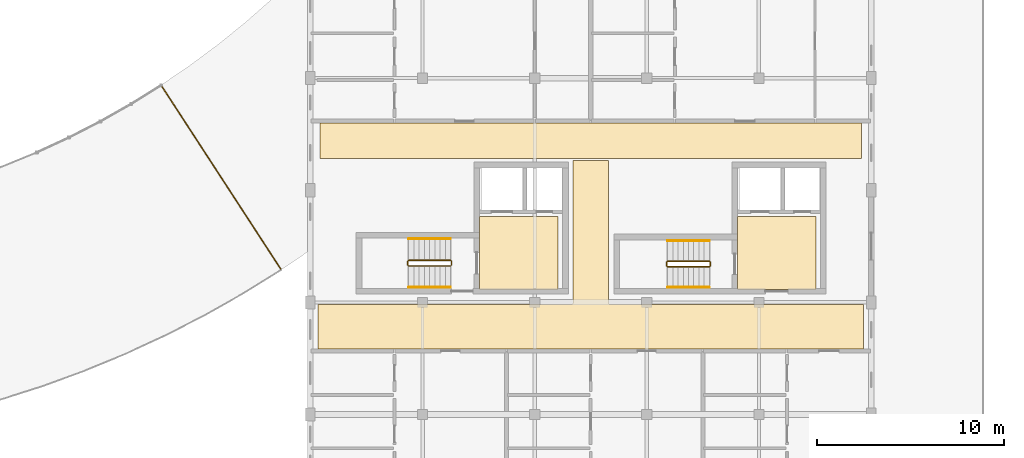
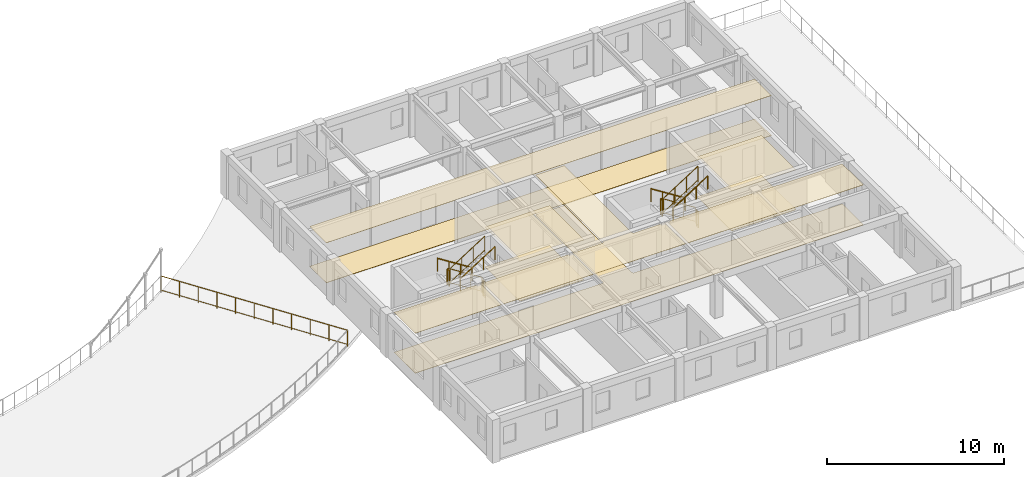
# One storey, part 53 of 58: 13 railings, 8 coverings.
"""IFC4 building model written with IfcOpenShell, lengths in metres."""

import ifcopenshell
import ifcopenshell.guid

model = None  # the IFC model being written
_history = None  # IfcOwnerHistory: only IFC2X3 demands one
_inside = {}  # id of a spatial element -> (the spatial element, [elements in it])
_under = {}  # id of a project, library or spatial element -> (it, [spatial elements below it])
_declared = {}  # id of a project -> (the project, [libraries it declares])
_typed = {}  # id of a type object -> (the type object, [elements of that type])
_made_of = {}  # id of a material, layer set ... -> (it, [elements and type objects made of it])


def new_model(schema):
    """Start an empty IFC model of exactly this schema.

    Asked for "IFC4X3", IfcOpenShell would pick the latest addendum, in which some entities
    have other attributes; the version numbers below select the first issue.
    IFC2X3 requires an IfcOwnerHistory on every rooted entity: one is made here for all.
    """
    global model, _history
    if schema == "IFC4X3":
        model = ifcopenshell.file(schema_version=(4, 3, 0, 0))
    else:
        model = ifcopenshell.file(schema=schema)
    _inside.clear()
    _under.clear()
    _declared.clear()
    _typed.clear()
    _made_of.clear()
    _history = None
    if model.schema == "IFC2X3":
        org = make("IfcOrganization", Name="unknown")
        user = make(
            "IfcPersonAndOrganization",
            ThePerson=make("IfcPerson", FamilyName="unknown"),
            TheOrganization=org,
        )
        app = make(
            "IfcApplication",
            ApplicationDeveloper=org,
            Version="unknown",
            ApplicationFullName="unknown",
            ApplicationIdentifier="unknown",
        )
        _history = make(
            "IfcOwnerHistory",
            OwningUser=user,
            OwningApplication=app,
            ChangeAction="ADDED",
            CreationDate=0,
        )
    return model


def make(cls, **values):
    """One entity of the class cls with the attributes given. An attribute that is None is left unset."""
    return model.create_entity(
        cls, **{name: value for name, value in values.items() if value is not None}
    )


def rooted(cls, **values):
    """An entity with a GlobalId (a new one), such as an element, a storey or a relation."""
    return make(cls, GlobalId=ifcopenshell.guid.new(), OwnerHistory=_history, **values)


def si_unit(unit_type, name, prefix=None):
    """IfcSIUnit, for example si_unit("LENGTHUNIT", "METRE", prefix="MILLI")."""
    return make("IfcSIUnit", UnitType=unit_type, Prefix=prefix, Name=name)


def assignment(units):
    """IfcUnitAssignment: the units of a project."""
    return None if units is None else make("IfcUnitAssignment", Units=units)


def point(xyz):
    """IfcCartesianPoint."""
    return None if xyz is None else make("IfcCartesianPoint", Coordinates=xyz)


def direction(xyz):
    """IfcDirection."""
    return None if xyz is None else make("IfcDirection", DirectionRatios=xyz)


def frame(location, z_axis=None, x_axis=None):
    """IfcAxis2Placement3D, a coordinate frame: its origin and axes. An axis left out is left unset."""
    return make(
        "IfcAxis2Placement3D",
        Location=point(location),
        Axis=direction(z_axis),
        RefDirection=direction(x_axis),
    )


def frame_2d(location, x_axis=None):
    """IfcAxis2Placement2D, a coordinate frame in the plane: its origin and x axis."""
    return make(
        "IfcAxis2Placement2D", Location=point(location), RefDirection=direction(x_axis)
    )


def origin():
    """The frame at (0, 0, 0) with its axes left unset."""
    return frame((0.0, 0.0, 0.0))


def origin_2d():
    """The frame at (0, 0) in the plane with its x axis left unset."""
    return frame_2d((0.0, 0.0))


def place(relative_to, where):
    """IfcLocalPlacement: puts the frame where relative to a parent placement (None: the world)."""
    return make(
        "IfcLocalPlacement", PlacementRelTo=relative_to, RelativePlacement=where
    )


def context(
    kind, dimensions, precision=None, world=None, true_north=None, identifier=None
):
    """IfcGeometricRepresentationContext, for example the 3D "Model" context."""
    return make(
        "IfcGeometricRepresentationContext",
        ContextIdentifier=identifier,
        ContextType=kind,
        CoordinateSpaceDimension=dimensions,
        Precision=precision,
        WorldCoordinateSystem=world,
        TrueNorth=true_north,
    )


def subcontext(parent, identifier, kind, view, scale=None):
    """IfcGeometricRepresentationSubContext, for example "Body" below "Model"."""
    return make(
        "IfcGeometricRepresentationSubContext",
        ContextIdentifier=identifier,
        ContextType=kind,
        ParentContext=parent,
        TargetScale=scale,
        TargetView=view,
    )


def project(units=None, contexts=None):
    """IfcProject with its units and contexts."""
    return rooted(
        "IfcProject",
        Name="project",
        RepresentationContexts=contexts,
        UnitsInContext=assignment(units),
    )


def spatial(cls, under=None, at=None, **own):
    """A site, building, storey or space (cls), placed at a placement, below another one or the project."""
    s = rooted(cls, ObjectPlacement=at, **own)
    if under is not None:
        _under.setdefault(under.id(), (under, []))[1].append(s)
    return s


def polyline(points):
    """IfcPolyline through the points."""
    return make("IfcPolyline", Points=[point(p) for p in points])


def profile(cls, at=None, kind="AREA", **sizes):
    """A parametric profile (cls). Its sizes go by their IFC names, for example OverallWidth=200.0."""
    return make(cls, ProfileType=kind, Position=at, **sizes)


def circle(**sizes):
    """IfcCircleProfileDef."""
    return profile("IfcCircleProfileDef", **sizes)


def outline(outer, holes=None, kind="AREA"):
    """IfcArbitraryClosedProfileDef: a profile drawn as a closed curve; with holes, ...WithVoids."""
    if holes is None:
        return make("IfcArbitraryClosedProfileDef", ProfileType=kind, OuterCurve=outer)
    return make(
        "IfcArbitraryProfileDefWithVoids",
        ProfileType=kind,
        OuterCurve=outer,
        InnerCurves=holes,
    )


def extrude(swept, where, along, depth):
    """IfcExtrudedAreaSolid: the profile swept, set in the frame where, extruded along a direction by depth."""
    return make(
        "IfcExtrudedAreaSolid",
        SweptArea=swept,
        Position=where,
        ExtrudedDirection=direction(along),
        Depth=depth,
    )


def shape(context_of_items, identifier, shape_type, items):
    """IfcShapeRepresentation: the items that make up one representation, for example the "Body"."""
    return make(
        "IfcShapeRepresentation",
        ContextOfItems=context_of_items,
        RepresentationIdentifier=identifier,
        RepresentationType=shape_type,
        Items=items,
    )


def material(Name=None, Category=None):
    """IfcMaterial."""
    return make("IfcMaterial", Name=Name, Category=Category)


def layer(
    of_material, thickness, ventilated=None, Name=None, Category=None, Priority=None
):
    """IfcMaterialLayer: one layer of a wall or slab, of a material (None: an air gap)."""
    return make(
        "IfcMaterialLayer",
        Material=of_material,
        LayerThickness=thickness,
        IsVentilated=ventilated,
        Name=Name,
        Category=Category,
        Priority=Priority,
    )


def layer_set(layers, Name=None):
    """IfcMaterialLayerSet."""
    return make("IfcMaterialLayerSet", MaterialLayers=layers, LayerSetName=Name)


def made_of(thing, what):
    """Note that an element or type object is made of a material, layer set ...; save() writes the relation."""
    if what is not None:
        _made_of.setdefault(what.id(), (what, []))[1].append(thing)
    return thing


def type_object(cls, material=None, **own):
    """A type object (cls), such as IfcWallType, which elements share."""
    return made_of(rooted(cls, **own), material)


def element(
    cls,
    number,
    at=None,
    inside=None,
    cuts=None,
    type_object=None,
    material=None,
    context=None,
    identifier="Body",
    shape_type=None,
    held_by="IfcProductDefinitionShape",
    body=None,
    shapes=None,
    **own,
):
    """One element of the class cls, such as IfcWall. Its Tag is "e" and its number.

    at: its placement. inside: the storey or other place that contains it. cuts: it is an
    opening in that element (IfcRelVoidsElement). A single representation is given by context,
    identifier, shape_type and body (its items); several are given by shapes. held_by: the class
    of the entity that holds the representations. save() writes the other relations.
    """
    e = rooted(cls, Tag="e%d" % number, ObjectPlacement=at, **own)
    if body is not None:
        shapes = [shape(context, identifier, shape_type, body)]
    if shapes is not None:
        e.Representation = make(held_by, Representations=shapes)
    if inside is not None:
        _inside.setdefault(inside.id(), (inside, []))[1].append(e)
    if cuts is not None:
        rooted(
            "IfcRelVoidsElement", RelatingBuildingElement=cuts, RelatedOpeningElement=e
        )
    if type_object is not None:
        _typed.setdefault(type_object.id(), (type_object, []))[1].append(e)
    return made_of(e, material)


def aggregate(whole, parts):
    """IfcRelAggregates: a whole, such as a stair, and the parts it consists of."""
    return rooted("IfcRelAggregates", RelatingObject=whole, RelatedObjects=parts)


def save(model, path):
    """Write the relations noted so far, then the file.

    IfcRelAggregates (storeys below a building ...), IfcRelContainedInSpatialStructure (elements
    in a storey), IfcRelDefinesByType, IfcRelAssociatesMaterial and IfcRelDeclares: one each for
    every whole, place, type object, material and project.
    """
    for whole, parts in _under.values():
        aggregate(whole, parts)
    for where, things in _inside.values():
        rooted(
            "IfcRelContainedInSpatialStructure",
            RelatedElements=things,
            RelatingStructure=where,
        )
    for kind, things in _typed.values():
        rooted("IfcRelDefinesByType", RelatedObjects=things, RelatingType=kind)
    for what, things in _made_of.values():
        rooted("IfcRelAssociatesMaterial", RelatedObjects=things, RelatingMaterial=what)
    for by, libraries in _declared.values():
        rooted("IfcRelDeclares", RelatingContext=by, RelatedDefinitions=libraries)
    model.write(path)


model = new_model("IFC4")

# Units and contexts
model_context = context("Model", 3, precision=1e-05, world=origin(), true_north=direction((0.0, 1.0)))
body_context = subcontext(model_context, "Body", "Model", "MODEL_VIEW")
ifc_project = project(units=[si_unit("LENGTHUNIT", "METRE"), si_unit("AREAUNIT", "SQUARE_METRE"), si_unit("VOLUMEUNIT", "CUBIC_METRE"), si_unit("PLANEANGLEUNIT", "RADIAN"), si_unit("MASSUNIT", "GRAM", prefix="KILO"), si_unit("POWERUNIT", "WATT"), si_unit("THERMODYNAMICTEMPERATUREUNIT", "KELVIN")], contexts=[model_context])

# Site, building, storey
site_placement = place(None, origin())
site = spatial("IfcSite", under=ifc_project, at=site_placement, CompositionType="ELEMENT")
building_placement = place(site_placement, origin())
building = spatial("IfcBuilding", under=site, at=building_placement, Name="Ruvembo Vaulted Housing Court", CompositionType="ELEMENT")
storey_placement = place(building_placement, frame((0.0, 0.0, 20.5)))
storey = spatial("IfcBuildingStorey", under=building, at=storey_placement, Name="L06", CompositionType="ELEMENT", Elevation=20.5)

# Coverings
ifc_material_1 = material(Name="Perforated Mineral-Fibre Acoustic Tile", Category="gypsum")
ifc_layer_1 = layer(ifc_material_1, 0.02001953125, Name="Perforated Mineral-Fibre Acoustic Tile")
ifc_layer_set_1 = layer_set([ifc_layer_1], Name="Perforated Mineral-Fibre Acoustic Tile")
covering_type_1 = type_object("IfcCoveringType", Name="COV-CEIL-ACOUST", PredefinedType="CEILING", material=ifc_layer_set_1)
covering_1_placement = place(storey_placement, frame((0.0, 0.0, 2.75)))
element("IfcCovering", 1, at=covering_1_placement, inside=storey, type_object=covering_type_1, Name="Protected Core Lobby C1 Ceiling", PredefinedType="CEILING", context=body_context, shape_type="SweptSolid", body=[
    extrude(outline(polyline([(115.25, 16.60009765625), (111.050048828125, 16.60009765625), (111.050048828125, 12.699951171875), (115.25, 12.699951171875), (115.25, 16.60009765625)])), origin(), (0.0, 0.0, 1.0), 0.02001953125),
])
covering_2_placement = place(storey_placement, frame((0.0, 0.0, 2.75)))
element("IfcCovering", 2, at=covering_2_placement, inside=storey, type_object=covering_type_1, Name="Protected Core Lobby C2 Ceiling", PredefinedType="CEILING", context=body_context, shape_type="SweptSolid", body=[
    extrude(outline(polyline([(129.050048828125, 16.60009765625), (124.85009765625, 16.60009765625), (124.85009765625, 12.699951171875), (129.050048828125, 12.699951171875), (129.050048828125, 16.60009765625)])), origin(), (0.0, 0.0, 1.0), 0.02001953125),
])
covering_3_placement = place(storey_placement, frame((0.0, 0.0, 2.75)))
element("IfcCovering", 3, at=covering_3_placement, inside=storey, type_object=covering_type_1, Name="Block C L06 Corridor Ceiling", PredefinedType="CEILING", context=body_context, shape_type="SweptSolid", body=[
    extrude(outline(polyline([(131.590087890625, 9.510009765625), (131.590087890625, 11.889892578125), (118.050048828125, 11.889892578125), (118.039306640625, 11.890380859375), (118.028564453125, 11.89208984375), (118.01806640625, 11.894775390625), (118.0078125, 11.8984375), (117.998046875, 11.903076171875), (117.989013671875, 11.908447265625), (117.980224609375, 11.9150390625), (117.97216796875, 11.922119140625), (117.965087890625, 11.93017578125), (117.95849609375, 11.93896484375), (117.952880859375, 11.947998046875), (117.948486328125, 11.9580078125), (117.944580078125, 11.968017578125), (117.942138671875, 11.978515625), (117.9404296875, 11.9892578125), (117.93994140625, 12.0), (117.93994140625, 19.590087890625), (116.06005859375, 19.590087890625), (116.06005859375, 12.0), (116.0595703125, 11.9892578125), (116.057861328125, 11.978515625), (116.055419921875, 11.968017578125), (116.051513671875, 11.9580078125), (116.047119140625, 11.947998046875), (116.04150390625, 11.93896484375), (116.034912109375, 11.93017578125), (116.02783203125, 11.922119140625), (116.019775390625, 11.9150390625), (116.010986328125, 11.908447265625), (116.001953125, 11.903076171875), (115.9921875, 11.8984375), (115.98193359375, 11.894775390625), (115.971435546875, 11.89208984375), (115.960693359375, 11.890380859375), (115.949951171875, 11.889892578125), (102.409912109375, 11.889892578125), (102.409912109375, 9.510009765625), (131.590087890625, 9.510009765625)])), origin(), (0.0, 0.0, 1.0), 0.02001953125),
])
covering_4_placement = place(storey_placement, frame((0.0, 0.0, 2.75)))
element("IfcCovering", 4, at=covering_4_placement, inside=storey, type_object=covering_type_1, Name="Block C L06 North Sub-Corridor Ceiling", PredefinedType="CEILING", context=body_context, shape_type="SweptSolid", body=[
    extrude(outline(polyline([(102.510009765625, 19.7099609375), (131.489990234375, 19.7099609375), (131.489990234375, 21.590087890625), (102.510009765625, 21.590087890625), (102.510009765625, 19.7099609375)])), origin(), (0.0, 0.0, 1.0), 0.02001953125),
])
ifc_material_2 = material(Name="Polished Cement-Aggregate Terrazzo", Category="stone")
ifc_layer_2 = layer(ifc_material_2, 0.02197265625, Name="Polished Cement-Aggregate Terrazzo")
ifc_layer_set_2 = layer_set([ifc_layer_2], Name="Polished Cement-Aggregate Terrazzo")
covering_type_2 = type_object("IfcCoveringType", Name="COV-FLR-CERAMIC", PredefinedType="FLOORING", material=ifc_layer_set_2)
covering_5_placement = place(storey_placement, origin())
element("IfcCovering", 5, at=covering_5_placement, inside=storey, type_object=covering_type_2, Name="Protected Core Lobby C1 Flooring", PredefinedType="FLOORING", context=body_context, shape_type="SweptSolid", body=[
    extrude(outline(polyline([(115.25, 16.60009765625), (111.050048828125, 16.60009765625), (111.050048828125, 12.699951171875), (115.25, 12.699951171875), (115.25, 16.60009765625)])), origin(), (0.0, 0.0, 1.0), 0.02197265625),
])
covering_6_placement = place(storey_placement, origin())
element("IfcCovering", 6, at=covering_6_placement, inside=storey, type_object=covering_type_2, Name="Protected Core Lobby C2 Flooring", PredefinedType="FLOORING", context=body_context, shape_type="SweptSolid", body=[
    extrude(outline(polyline([(129.050048828125, 16.60009765625), (124.85009765625, 16.60009765625), (124.85009765625, 12.699951171875), (129.050048828125, 12.699951171875), (129.050048828125, 16.60009765625)])), origin(), (0.0, 0.0, 1.0), 0.02197265625),
])
covering_7_placement = place(storey_placement, origin())
element("IfcCovering", 7, at=covering_7_placement, inside=storey, type_object=covering_type_2, Name="Block C L06 Corridor Flooring", PredefinedType="FLOORING", context=body_context, shape_type="SweptSolid", body=[
    extrude(outline(polyline([(131.590087890625, 9.510009765625), (131.590087890625, 11.889892578125), (118.050048828125, 11.889892578125), (118.039306640625, 11.890380859375), (118.028564453125, 11.89208984375), (118.01806640625, 11.894775390625), (118.0078125, 11.8984375), (117.998046875, 11.903076171875), (117.989013671875, 11.908447265625), (117.980224609375, 11.9150390625), (117.97216796875, 11.922119140625), (117.965087890625, 11.93017578125), (117.95849609375, 11.93896484375), (117.952880859375, 11.947998046875), (117.948486328125, 11.9580078125), (117.944580078125, 11.968017578125), (117.942138671875, 11.978515625), (117.9404296875, 11.9892578125), (117.93994140625, 12.0), (117.93994140625, 19.590087890625), (116.06005859375, 19.590087890625), (116.06005859375, 12.0), (116.0595703125, 11.9892578125), (116.057861328125, 11.978515625), (116.055419921875, 11.968017578125), (116.051513671875, 11.9580078125), (116.047119140625, 11.947998046875), (116.04150390625, 11.93896484375), (116.034912109375, 11.93017578125), (116.02783203125, 11.922119140625), (116.019775390625, 11.9150390625), (116.010986328125, 11.908447265625), (116.001953125, 11.903076171875), (115.9921875, 11.8984375), (115.98193359375, 11.894775390625), (115.971435546875, 11.89208984375), (115.960693359375, 11.890380859375), (115.949951171875, 11.889892578125), (102.409912109375, 11.889892578125), (102.409912109375, 9.510009765625), (131.590087890625, 9.510009765625)])), origin(), (0.0, 0.0, 1.0), 0.02197265625),
])
covering_8_placement = place(storey_placement, origin())
element("IfcCovering", 8, at=covering_8_placement, inside=storey, type_object=covering_type_2, Name="Block C L06 North Sub-Corridor Flooring", PredefinedType="FLOORING", context=body_context, shape_type="SweptSolid", body=[
    extrude(outline(polyline([(102.510009765625, 19.7099609375), (131.489990234375, 19.7099609375), (131.489990234375, 21.590087890625), (102.510009765625, 21.590087890625), (102.510009765625, 19.7099609375)])), origin(), (0.0, 0.0, 1.0), 0.02197265625),
])

# Railings
ifc_material_3 = material(Name="Galvanised Painted Steel and Laminated Glass", Category="steel")
ifc_layer_3 = layer(ifc_material_3, 0.070068359375, Name="Galvanised Painted Steel and Laminated Glass")
ifc_layer_set_3 = layer_set([ifc_layer_3], Name="Galvanised Painted Steel and Laminated Glass")
railing_type_1 = type_object("IfcRailingType", Name="RL-BALUST-1120", PredefinedType="BALUSTRADE", material=ifc_layer_set_3)
railing_1_placement = place(storey_placement, frame((94.00537109375, 23.62841796875, 0.0)))
element("IfcRailing", 9, at=railing_1_placement, inside=storey, type_object=railing_type_1, Name="L06 Perimeter Guard RL-EXT-L06-0525", PredefinedType="BALUSTRADE", context=body_context, shape_type="SweptSolid", body=[
    extrude(circle(Radius=0.02392578125, at=origin_2d()), frame((0.0, 0.0, 1.09619140625), z_axis=(0.545970483673, -0.837804410921, 0.0), x_axis=(0.837804410921, 0.545970483673, 0.0)), (0.0, 0.0, 1.0), 11.7998046875),
    extrude(circle(Radius=0.01806640625, at=origin_2d()), frame((0.0, 0.0, 0.1201171875), z_axis=(0.545970483673, -0.837804410921, 0.0), x_axis=(0.837804410921, 0.545970483673, 0.0)), (0.0, 0.0, 1.0), 11.7998046875),
    extrude(circle(Radius=0.02099609375, at=origin_2d()), origin(), (0.0, 0.0, 1.0), 1.072021484375),
    extrude(circle(Radius=0.02099609375, at=origin_2d()), frame((0.644287109375, -0.988525390625, 0.0)), (0.0, 0.0, 1.0), 1.072021484375),
    extrude(circle(Radius=0.02099609375, at=origin_2d()), frame((1.28857421875, -1.977294921875, 0.0)), (0.0, 0.0, 1.0), 1.072021484375),
    extrude(circle(Radius=0.02099609375, at=origin_2d()), frame((1.9326171875, -2.9658203125, 0.0)), (0.0, 0.0, 1.0), 1.072021484375),
    extrude(circle(Radius=0.02099609375, at=origin_2d()), frame((2.576904296875, -3.954345703125, 0.0)), (0.0, 0.0, 1.0), 1.072021484375),
    extrude(circle(Radius=0.02099609375, at=origin_2d()), frame((3.22119140625, -4.94287109375, 0.0)), (0.0, 0.0, 1.0), 1.072021484375),
    extrude(circle(Radius=0.02099609375, at=origin_2d()), frame((3.865478515625, -5.931640625, 0.0)), (0.0, 0.0, 1.0), 1.072021484375),
    extrude(circle(Radius=0.02099609375, at=origin_2d()), frame((4.509765625, -6.920166015625, 0.0)), (0.0, 0.0, 1.0), 1.072021484375),
    extrude(circle(Radius=0.02099609375, at=origin_2d()), frame((5.15380859375, -7.90869140625, 0.0)), (0.0, 0.0, 1.0), 1.072021484375),
    extrude(circle(Radius=0.02099609375, at=origin_2d()), frame((5.798095703125, -8.8974609375, 0.0)), (0.0, 0.0, 1.0), 1.072021484375),
    extrude(circle(Radius=0.02099609375, at=origin_2d()), frame((6.4423828125, -9.885986328125, 0.0)), (0.0, 0.0, 1.0), 1.072021484375),
])
ifc_material_4 = material(Name="Painted Galvanised Steel S275", Category="steel")
ifc_layer_4 = layer(ifc_material_4, 0.06005859375, Name="Painted Galvanised Steel S275")
ifc_layer_set_4 = layer_set([ifc_layer_4], Name="Painted Galvanised Steel S275")
railing_type_2 = type_object("IfcRailingType", Name="RL-STAIR-GR1100", PredefinedType="GUARDRAIL", material=ifc_layer_set_4)
railing_2_placement = place(storey_placement, frame((109.5, 14.25, 0.177734375)))
element("IfcRailing", 10, at=railing_2_placement, inside=storey, type_object=railing_type_2, Name="L06 ST-C1 stair guard 1", PredefinedType="GUARDRAIL", context=body_context, shape_type="SweptSolid", body=[
    extrude(circle(Radius=0.02392578125, at=origin_2d()), frame((0.0, 0.0, 1.076171875), z_axis=(-0.84418770128, 0.0, 0.536047689118), x_axis=(0.0, -1.0, 0.0)), (0.0, 0.0, 1.0), 2.6533203125),
    extrude(circle(Radius=0.01806640625, at=origin_2d()), frame((0.0, 0.0, 0.1201171875), z_axis=(-0.84418770128, 0.0, 0.536047689118), x_axis=(0.0, -1.0, 0.0)), (0.0, 0.0, 1.0), 2.6533203125),
    extrude(circle(Radius=0.02099609375, at=origin_2d()), origin(), (0.0, 0.0, 1.0), 1.052001953125),
    extrude(circle(Radius=0.02099609375, at=origin_2d()), frame((-0.74658203125, 0.0, 0.47412109375)), (0.0, 0.0, 1.0), 1.052001953125),
    extrude(circle(Radius=0.02099609375, at=origin_2d()), frame((-1.493408203125, 0.0, 0.9482421875)), (0.0, 0.0, 1.0), 1.052001953125),
    extrude(circle(Radius=0.02099609375, at=origin_2d()), frame((-2.239990234375, 0.0, 1.42236328125)), (0.0, 0.0, 1.0), 1.052001953125),
])
railing_3_placement = place(storey_placement, frame((107.2099609375, 14.199951171875, 1.60009765625)))
element("IfcRailing", 11, at=railing_3_placement, inside=storey, type_object=railing_type_2, Name="L06 ST-C1 stair guard 2", PredefinedType="GUARDRAIL", context=body_context, shape_type="SweptSolid", body=[
    extrude(circle(Radius=0.02392578125, at=origin_2d()), frame((0.0, 0.0, 1.076171875), z_axis=(0.0, -1.0, 0.0), x_axis=(1.0, 0.0, 0.0)), (0.0, 0.0, 1.0), 0.199951171875),
    extrude(circle(Radius=0.01806640625, at=origin_2d()), frame((0.0, 0.0, 0.1201171875), z_axis=(0.0, -1.0, 0.0), x_axis=(1.0, 0.0, 0.0)), (0.0, 0.0, 1.0), 0.199951171875),
    extrude(circle(Radius=0.02099609375, at=origin_2d()), origin(), (0.0, 0.0, 1.0), 1.052001953125),
    extrude(circle(Radius=0.02099609375, at=origin_2d()), frame((0.0, -0.199951171875, 0.0)), (0.0, 0.0, 1.0), 1.052001953125),
])
railing_4_placement = place(storey_placement, frame((107.260009765625, 13.949951171875, 1.77783203125)))
element("IfcRailing", 12, at=railing_4_placement, inside=storey, type_object=railing_type_2, Name="L06 ST-C1 stair guard 3", PredefinedType="GUARDRAIL", context=body_context, shape_type="SweptSolid", body=[
    extrude(circle(Radius=0.02392578125, at=origin_2d()), frame((0.0, 0.0, 1.076171875), z_axis=(0.8442293374, 0.0, 0.53598211339), x_axis=(0.0, 1.0, 0.0)), (0.0, 0.0, 1.0), 2.6533203125),
    extrude(circle(Radius=0.01806640625, at=origin_2d()), frame((0.0, 0.0, 0.1201171875), z_axis=(0.8442293374, 0.0, 0.53598211339), x_axis=(0.0, 1.0, 0.0)), (0.0, 0.0, 1.0), 2.6533203125),
    extrude(circle(Radius=0.02099609375, at=origin_2d()), origin(), (0.0, 0.0, 1.0), 1.052001953125),
    extrude(circle(Radius=0.02099609375, at=origin_2d()), frame((0.74658203125, 0.0, 0.47412109375)), (0.0, 0.0, 1.0), 1.052001953125),
    extrude(circle(Radius=0.02099609375, at=origin_2d()), frame((1.493408203125, 0.0, 0.947998046875)), (0.0, 0.0, 1.0), 1.052001953125),
    extrude(circle(Radius=0.02099609375, at=origin_2d()), frame((2.239990234375, 0.0, 1.422119140625)), (0.0, 0.0, 1.0), 1.052001953125),
])
railing_5_placement = place(storey_placement, frame((109.550048828125, 14.199951171875, 0.0)))
element("IfcRailing", 13, at=railing_5_placement, inside=storey, type_object=railing_type_2, Name="L06 ST-C1 stair guard 4", PredefinedType="GUARDRAIL", context=body_context, shape_type="SweptSolid", body=[
    extrude(circle(Radius=0.02392578125, at=origin_2d()), frame((0.0, 0.0, 1.076171875), z_axis=(0.0, -1.0, 0.0), x_axis=(1.0, 0.0, 0.0)), (0.0, 0.0, 1.0), 0.199951171875),
    extrude(circle(Radius=0.01806640625, at=origin_2d()), frame((0.0, 0.0, 0.1201171875), z_axis=(0.0, -1.0, 0.0), x_axis=(1.0, 0.0, 0.0)), (0.0, 0.0, 1.0), 0.199951171875),
    extrude(circle(Radius=0.02099609375, at=origin_2d()), origin(), (0.0, 0.0, 1.0), 1.052001953125),
    extrude(circle(Radius=0.02099609375, at=origin_2d()), frame((0.0, -0.199951171875, 0.0)), (0.0, 0.0, 1.0), 1.052001953125),
])
railing_6_placement = place(storey_placement, frame((123.35009765625, 14.199951171875, 0.177734375)))
element("IfcRailing", 14, at=railing_6_placement, inside=storey, type_object=railing_type_2, Name="L06 ST-C2 stair guard 1", PredefinedType="GUARDRAIL", context=body_context, shape_type="SweptSolid", body=[
    extrude(circle(Radius=0.02392578125, at=origin_2d()), frame((0.0, 0.0, 1.076171875), z_axis=(-0.84418770128, 0.0, 0.536047689118), x_axis=(0.0, -1.0, 0.0)), (0.0, 0.0, 1.0), 2.6533203125),
    extrude(circle(Radius=0.01806640625, at=origin_2d()), frame((0.0, 0.0, 0.1201171875), z_axis=(-0.84418770128, 0.0, 0.536047689118), x_axis=(0.0, -1.0, 0.0)), (0.0, 0.0, 1.0), 2.6533203125),
    extrude(circle(Radius=0.02099609375, at=origin_2d()), origin(), (0.0, 0.0, 1.0), 1.052001953125),
    extrude(circle(Radius=0.02099609375, at=origin_2d()), frame((-0.74658203125, 0.0, 0.47412109375)), (0.0, 0.0, 1.0), 1.052001953125),
    extrude(circle(Radius=0.02099609375, at=origin_2d()), frame((-1.493408203125, 0.0, 0.9482421875)), (0.0, 0.0, 1.0), 1.052001953125),
    extrude(circle(Radius=0.02099609375, at=origin_2d()), frame((-2.239990234375, 0.0, 1.42236328125)), (0.0, 0.0, 1.0), 1.052001953125),
])
railing_7_placement = place(storey_placement, frame((121.06005859375, 14.14990234375, 1.60009765625)))
element("IfcRailing", 15, at=railing_7_placement, inside=storey, type_object=railing_type_2, Name="L06 ST-C2 stair guard 2", PredefinedType="GUARDRAIL", context=body_context, shape_type="SweptSolid", body=[
    extrude(circle(Radius=0.02392578125, at=origin_2d()), frame((0.0, 0.0, 1.076171875), z_axis=(0.0, -1.0, 0.0), x_axis=(1.0, 0.0, 0.0)), (0.0, 0.0, 1.0), 0.199951171875),
    extrude(circle(Radius=0.01806640625, at=origin_2d()), frame((0.0, 0.0, 0.1201171875), z_axis=(0.0, -1.0, 0.0), x_axis=(1.0, 0.0, 0.0)), (0.0, 0.0, 1.0), 0.199951171875),
    extrude(circle(Radius=0.02099609375, at=origin_2d()), origin(), (0.0, 0.0, 1.0), 1.052001953125),
    extrude(circle(Radius=0.02099609375, at=origin_2d()), frame((0.0, -0.199951171875, 0.0)), (0.0, 0.0, 1.0), 1.052001953125),
])
railing_8_placement = place(storey_placement, frame((121.110107421875, 13.89990234375, 1.77783203125)))
element("IfcRailing", 16, at=railing_8_placement, inside=storey, type_object=railing_type_2, Name="L06 ST-C2 stair guard 3", PredefinedType="GUARDRAIL", context=body_context, shape_type="SweptSolid", body=[
    extrude(circle(Radius=0.02392578125, at=origin_2d()), frame((0.0, 0.0, 1.076171875), z_axis=(0.8442293374, 0.0, 0.53598211339), x_axis=(0.0, 1.0, 0.0)), (0.0, 0.0, 1.0), 2.6533203125),
    extrude(circle(Radius=0.01806640625, at=origin_2d()), frame((0.0, 0.0, 0.1201171875), z_axis=(0.8442293374, 0.0, 0.53598211339), x_axis=(0.0, 1.0, 0.0)), (0.0, 0.0, 1.0), 2.6533203125),
    extrude(circle(Radius=0.02099609375, at=origin_2d()), origin(), (0.0, 0.0, 1.0), 1.052001953125),
    extrude(circle(Radius=0.02099609375, at=origin_2d()), frame((0.74658203125, 0.0, 0.47412109375)), (0.0, 0.0, 1.0), 1.052001953125),
    extrude(circle(Radius=0.02099609375, at=origin_2d()), frame((1.493408203125, 0.0, 0.947998046875)), (0.0, 0.0, 1.0), 1.052001953125),
    extrude(circle(Radius=0.02099609375, at=origin_2d()), frame((2.239990234375, 0.0, 1.422119140625)), (0.0, 0.0, 1.0), 1.052001953125),
])
railing_9_placement = place(storey_placement, frame((123.39990234375, 14.14990234375, 0.0)))
element("IfcRailing", 17, at=railing_9_placement, inside=storey, type_object=railing_type_2, Name="L06 ST-C2 stair guard 4", PredefinedType="GUARDRAIL", context=body_context, shape_type="SweptSolid", body=[
    extrude(circle(Radius=0.02392578125, at=origin_2d()), frame((0.0, 0.0, 1.076171875), z_axis=(0.0, -1.0, 0.0), x_axis=(1.0, 0.0, 0.0)), (0.0, 0.0, 1.0), 0.199951171875),
    extrude(circle(Radius=0.01806640625, at=origin_2d()), frame((0.0, 0.0, 0.1201171875), z_axis=(0.0, -1.0, 0.0), x_axis=(1.0, 0.0, 0.0)), (0.0, 0.0, 1.0), 0.199951171875),
    extrude(circle(Radius=0.02099609375, at=origin_2d()), origin(), (0.0, 0.0, 1.0), 1.052001953125),
    extrude(circle(Radius=0.02099609375, at=origin_2d()), frame((0.0, -0.199951171875, 0.0)), (0.0, 0.0, 1.0), 1.052001953125),
])
ifc_material_5 = material(Name="Brushed Stainless Steel 304", Category="steel")
ifc_layer_5 = layer(ifc_material_5, 0.050048828125, Name="Brushed Stainless Steel 304")
ifc_layer_set_5 = layer_set([ifc_layer_5], Name="Brushed Stainless Steel 304")
railing_type_3 = type_object("IfcRailingType", Name="RL-STAIR-HR920", PredefinedType="HANDRAIL", material=ifc_layer_set_5)
railing_10_placement = place(storey_placement, frame((109.5, 15.39990234375, 0.359375)))
element("IfcRailing", 18, at=railing_10_placement, inside=storey, type_object=railing_type_3, Name="L06 ST-C1 stair handrail 1", PredefinedType="HANDRAIL", context=body_context, shape_type="SweptSolid", body=[
    extrude(circle(Radius=0.02392578125, at=origin_2d()), frame((0.0, 0.0, 0.8759765625), z_axis=(-0.8442293374, 0.0, 0.53598211339), x_axis=(0.0, -1.0, 0.0)), (0.0, 0.0, 1.0), 2.6533203125),
    extrude(circle(Radius=0.02099609375, at=origin_2d()), origin(), (0.0, 0.0, 1.0), 0.851806640625),
    extrude(circle(Radius=0.02099609375, at=origin_2d()), frame((-0.74658203125, 0.0, 0.47412109375)), (0.0, 0.0, 1.0), 0.851806640625),
    extrude(circle(Radius=0.02099609375, at=origin_2d()), frame((-1.493408203125, 0.0, 0.947998046875)), (0.0, 0.0, 1.0), 0.851806640625),
    extrude(circle(Radius=0.02099609375, at=origin_2d()), frame((-2.239990234375, 0.0, 1.422119140625)), (0.0, 0.0, 1.0), 0.851806640625),
])
railing_11_placement = place(storey_placement, frame((107.260009765625, 12.800048828125, 1.959228515625)))
element("IfcRailing", 19, at=railing_11_placement, inside=storey, type_object=railing_type_3, Name="L06 ST-C1 stair handrail 2", PredefinedType="HANDRAIL", context=body_context, shape_type="SweptSolid", body=[
    extrude(circle(Radius=0.02392578125, at=origin_2d()), frame((0.0, 0.0, 0.8759765625), z_axis=(0.84418770128, 0.0, 0.536047689118), x_axis=(0.0, 1.0, 0.0)), (0.0, 0.0, 1.0), 2.6533203125),
    extrude(circle(Radius=0.02099609375, at=origin_2d()), origin(), (0.0, 0.0, 1.0), 0.851806640625),
    extrude(circle(Radius=0.02099609375, at=origin_2d()), frame((0.74658203125, 0.0, 0.47412109375)), (0.0, 0.0, 1.0), 0.851806640625),
    extrude(circle(Radius=0.02099609375, at=origin_2d()), frame((1.493408203125, 0.0, 0.9482421875)), (0.0, 0.0, 1.0), 0.851806640625),
    extrude(circle(Radius=0.02099609375, at=origin_2d()), frame((2.239990234375, 0.0, 1.42236328125)), (0.0, 0.0, 1.0), 0.851806640625),
])
railing_12_placement = place(storey_placement, frame((123.35009765625, 15.300048828125, 0.359375)))
element("IfcRailing", 20, at=railing_12_placement, inside=storey, type_object=railing_type_3, Name="L06 ST-C2 stair handrail 1", PredefinedType="HANDRAIL", context=body_context, shape_type="SweptSolid", body=[
    extrude(circle(Radius=0.02392578125, at=origin_2d()), frame((0.0, 0.0, 0.8759765625), z_axis=(-0.8442293374, 0.0, 0.53598211339), x_axis=(0.0, -1.0, 0.0)), (0.0, 0.0, 1.0), 2.6533203125),
    extrude(circle(Radius=0.02099609375, at=origin_2d()), origin(), (0.0, 0.0, 1.0), 0.851806640625),
    extrude(circle(Radius=0.02099609375, at=origin_2d()), frame((-0.74658203125, 0.0, 0.47412109375)), (0.0, 0.0, 1.0), 0.851806640625),
    extrude(circle(Radius=0.02099609375, at=origin_2d()), frame((-1.493408203125, 0.0, 0.947998046875)), (0.0, 0.0, 1.0), 0.851806640625),
    extrude(circle(Radius=0.02099609375, at=origin_2d()), frame((-2.239990234375, 0.0, 1.422119140625)), (0.0, 0.0, 1.0), 0.851806640625),
])
railing_13_placement = place(storey_placement, frame((121.110107421875, 12.800048828125, 1.959228515625)))
element("IfcRailing", 21, at=railing_13_placement, inside=storey, type_object=railing_type_3, Name="L06 ST-C2 stair handrail 2", PredefinedType="HANDRAIL", context=body_context, shape_type="SweptSolid", body=[
    extrude(circle(Radius=0.02392578125, at=origin_2d()), frame((0.0, 0.0, 0.8759765625), z_axis=(0.84418770128, 0.0, 0.536047689118), x_axis=(0.0, 1.0, 0.0)), (0.0, 0.0, 1.0), 2.6533203125),
    extrude(circle(Radius=0.02099609375, at=origin_2d()), origin(), (0.0, 0.0, 1.0), 0.851806640625),
    extrude(circle(Radius=0.02099609375, at=origin_2d()), frame((0.74658203125, 0.0, 0.47412109375)), (0.0, 0.0, 1.0), 0.851806640625),
    extrude(circle(Radius=0.02099609375, at=origin_2d()), frame((1.493408203125, 0.0, 0.9482421875)), (0.0, 0.0, 1.0), 0.851806640625),
    extrude(circle(Radius=0.02099609375, at=origin_2d()), frame((2.239990234375, 0.0, 1.42236328125)), (0.0, 0.0, 1.0), 0.851806640625),
])

save(model, "model.ifc")
